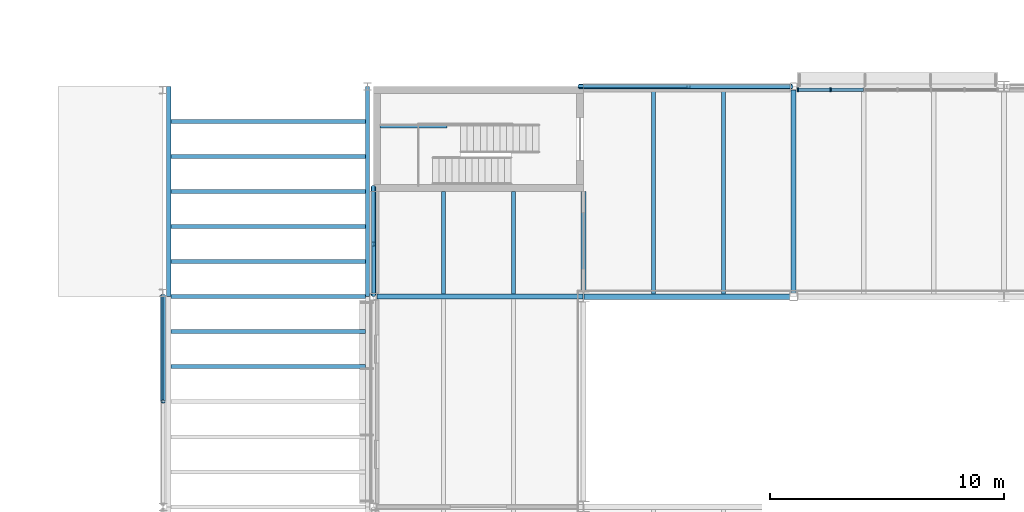
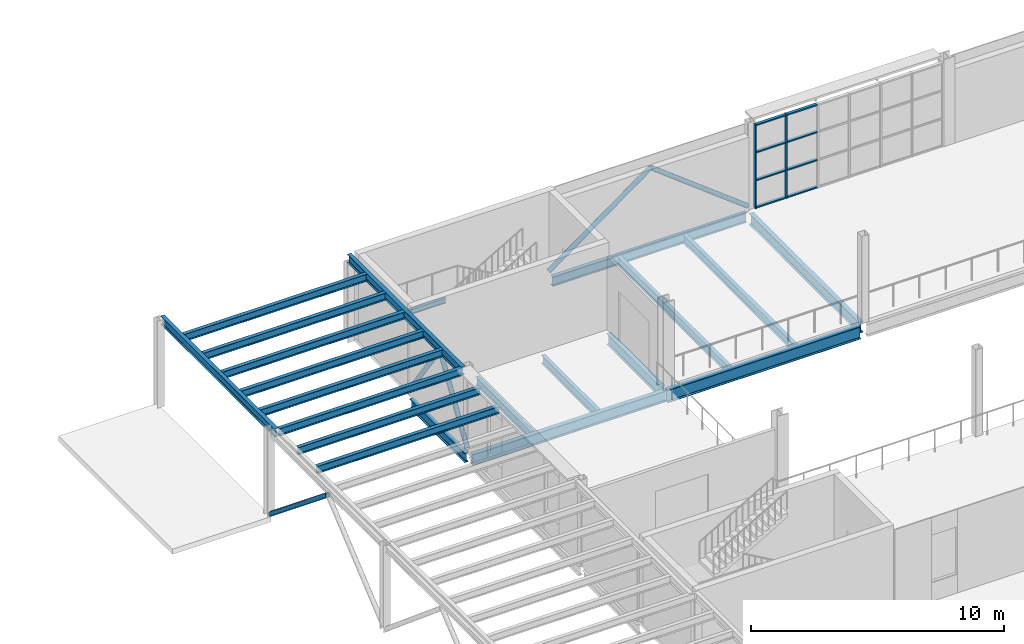
# One storey, part 11 of 57: 23 members, 13 beams, 1 element without a shape of its own.
"""IFC4 building model written with IfcOpenShell, lengths in metres."""

from ifc_helpers import new_model, si_unit, direction, frame, origin, origin_2d, place, context, subcontext, project, spatial, rectangle, hollow_circle, i_section, extrude, material, layer, layer_set, material_profile, profile_set, type_object, element, aggregate, save


model = new_model("IFC4")

# Units and contexts
model_context = context("Model", 3, precision=1e-05, world=origin(), true_north=direction((0.0, 1.0)))
body_context = subcontext(model_context, "Body", "Model", "MODEL_VIEW")
ifc_project = project(units=[si_unit("LENGTHUNIT", "METRE"), si_unit("AREAUNIT", "SQUARE_METRE"), si_unit("VOLUMEUNIT", "CUBIC_METRE"), si_unit("PLANEANGLEUNIT", "RADIAN"), si_unit("MASSUNIT", "GRAM", prefix="KILO")], contexts=[model_context])

# Site, building, storey
site_placement = place(None, origin())
site = spatial("IfcSite", under=ifc_project, at=site_placement, CompositionType="ELEMENT")
building_placement = place(site_placement, origin())
building = spatial("IfcBuilding", under=site, at=building_placement, Name="Halyard Row Museum", CompositionType="ELEMENT")
storey_placement = place(building_placement, frame((0.0, 0.0, 5.0)))
storey = spatial("IfcBuildingStorey", under=building, at=storey_placement, Name="L01", CompositionType="ELEMENT", Elevation=5.0)

# Members
ifc_material_1 = material(Name="Steel Grade C350L0", Category="steel")
ifc_material_profile_1 = material_profile(ifc_material_1, hollow_circle(Radius=0.109619140625, WallThickness=0.00830078125, at=origin_2d()), Name="219.1x8.2CHS")
ifc_profile_set_1 = profile_set([ifc_material_profile_1], Name="Steel Grade C350L0")
member_type_1 = type_object("IfcMemberType", Name="Brace 219.1x8.2CHS", PredefinedType="BRACE", material=ifc_profile_set_1)
member_1_placement = place(storey_placement, frame((18.0, 36.036376953125, 0.109619140625), z_axis=(0.0, -0.777199087456, 0.629254780242), x_axis=(1.0, 0.0, 0.0)))
element("IfcMember", 1, at=member_1_placement, inside=storey, type_object=member_type_1, Name="Brace L01 X18 27-36 B", PredefinedType="BRACE", context=body_context, shape_type="SweptSolid", body=[
    extrude(hollow_circle(Radius=0.109619140625, WallThickness=0.00830078125, at=origin_2d()), origin(), (0.0, 0.0, 1.0), 5.8369140625),
])
member_2_placement = place(storey_placement, frame((27.0, 36.10009765625, 0.109619140625), z_axis=(0.0, 0.532731436582, 0.846284359112), x_axis=(-1.0, 0.0, 0.0)))
element("IfcMember", 2, at=member_2_placement, inside=storey, type_object=member_type_1, Name="Brace L01 X27 36-40.5 A", PredefinedType="BRACE", context=body_context, shape_type="SweptSolid", body=[
    extrude(hollow_circle(Radius=0.109619140625, WallThickness=0.00830078125, at=origin_2d()), origin(), (0.0, 0.0, 1.0), 4.03564453125),
])
member_3_placement = place(storey_placement, frame((27.0, 40.669921875, 0.109619140625), z_axis=(0.0, -0.578689389452, 0.815548030796), x_axis=(1.0, 0.0, 0.0)))
element("IfcMember", 3, at=member_3_placement, inside=storey, type_object=member_type_1, Name="Brace L01 X27 36-40.5 B", PredefinedType="BRACE", context=body_context, shape_type="SweptSolid", body=[
    extrude(hollow_circle(Radius=0.109619140625, WallThickness=0.00830078125, at=origin_2d()), origin(), (0.0, 0.0, 1.0), 4.181640625),
])
member_4_placement = place(storey_placement, frame((35.830078125, 45.0, 0.109619140625), z_axis=(0.809666762565, 0.0, 0.586889882003), x_axis=(0.0, 1.0, 0.0)))
element("IfcMember", 4, at=member_4_placement, inside=storey, type_object=member_type_1, Name="Brace L01 Y45 36-45 A", PredefinedType="BRACE", context=body_context, shape_type="SweptSolid", body=[
    extrude(hollow_circle(Radius=0.109619140625, WallThickness=0.00830078125, at=origin_2d()), origin(), (0.0, 0.0, 1.0), 5.767822265625),
])
member_5_placement = place(storey_placement, frame((44.89990234375, 45.0, 0.109619140625), z_axis=(-0.792413085648, 0.0, 0.609984837265), x_axis=(0.0, -1.0, 0.0)))
element("IfcMember", 5, at=member_5_placement, inside=storey, type_object=member_type_1, Name="Brace L01 Y45 36-45 B", PredefinedType="BRACE", context=body_context, shape_type="SweptSolid", body=[
    extrude(hollow_circle(Radius=0.109619140625, WallThickness=0.00830078125, at=origin_2d()), origin(), (0.0, 0.0, 1.0), 5.552490234375),
])

# Curtain wall, members
ifc_material_2 = material(Name="Double glazed unit, low-emissivity", Category="glass")
ifc_layer = layer(ifc_material_2, 0.179931640625)
ifc_layer_set = layer_set([ifc_layer], Name="Double glazed unit, low-emissivity")
curtain_wall_type = type_object("IfcCurtainWallType", Name="Curtain wall stick 180 deep", PredefinedType="NOTDEFINED", material=ifc_layer_set)
curtain_wall_placement = place(storey_placement, origin())
curtain_wall = element("IfcCurtainWall", 6, at=curtain_wall_placement, inside=storey, type_object=curtain_wall_type, Name="Curtain wall CW022", PredefinedType="NOTDEFINED")
ifc_material_3 = material(Name="Powder-coated aluminium section", Category="aluminium")
ifc_material_profile_2 = material_profile(ifc_material_3, rectangle(XDim=0.179931640625, YDim=0.06005859375, at=origin_2d()), Name="180x60 mullion")
ifc_profile_set_2 = profile_set([ifc_material_profile_2], Name="Powder-coated aluminium section")
member_type_2 = type_object("IfcMemberType", Name="Curtain wall mullion CM2 60 x 180", PredefinedType="MULLION", material=ifc_profile_set_2)
member_6_placement = place(storey_placement, frame((46.583251953125, 44.860107421875, 0.0), z_axis=(0.0, 0.0, 1.0), x_axis=(0.0, -1.0, 0.0)))
member_6 = element("IfcMember", 7, at=member_6_placement, type_object=member_type_2, Name="CW022 mullion 6", PredefinedType="MULLION", context=body_context, shape_type="SweptSolid", body=[
    extrude(rectangle(XDim=0.179931640625, YDim=0.06005859375, at=origin_2d()), origin(), (0.0, 0.0, 1.0), 4.034912109375),
])
member_7_placement = place(storey_placement, frame((45.179931640625, 44.860107421875, 0.0), z_axis=(0.0, 0.0, 1.0), x_axis=(0.0, -1.0, 0.0)))
member_7 = element("IfcMember", 8, at=member_7_placement, type_object=member_type_2, Name="CW022 mullion 7", PredefinedType="MULLION", context=body_context, shape_type="SweptSolid", body=[
    extrude(rectangle(XDim=0.179931640625, YDim=0.06005859375, at=origin_2d()), origin(), (0.0, 0.0, 1.0), 4.034912109375),
])
ifc_material_4 = material(Name="Powder-coated aluminium section", Category="aluminium")
ifc_material_profile_3 = material_profile(ifc_material_4, rectangle(XDim=0.139892578125, YDim=0.06005859375, at=origin_2d()), Name="140x60 transom")
ifc_profile_set_3 = profile_set([ifc_material_profile_3], Name="Powder-coated aluminium section")
member_type_3 = type_object("IfcMemberType", Name="Curtain wall transom CT2 60 x 140", PredefinedType="USERDEFINED", material=ifc_profile_set_3)
member_8_placement = place(storey_placement, frame((47.986572265625, 44.860107421875, 0.030029296875), z_axis=(-1.0, 0.0, 0.0), x_axis=(0.0, -1.0, 0.0)))
member_8 = element("IfcMember", 9, at=member_8_placement, type_object=member_type_3, Name="CW022 transom 5.1", ObjectType="TRANSOM", PredefinedType="USERDEFINED", context=body_context, shape_type="SweptSolid", body=[
    extrude(rectangle(XDim=0.139892578125, YDim=0.06005859375, at=origin_2d()), origin(), (0.0, 0.0, 1.0), 1.373291015625),
])
member_9_placement = place(storey_placement, frame((47.986572265625, 44.860107421875, 1.344970703125), z_axis=(-1.0, 0.0, 0.0), x_axis=(0.0, -1.0, 0.0)))
member_9 = element("IfcMember", 10, at=member_9_placement, type_object=member_type_3, Name="CW022 transom 5.2", ObjectType="TRANSOM", PredefinedType="USERDEFINED", context=body_context, shape_type="SweptSolid", body=[
    extrude(rectangle(XDim=0.139892578125, YDim=0.06005859375, at=origin_2d()), origin(), (0.0, 0.0, 1.0), 1.373291015625),
])
member_10_placement = place(storey_placement, frame((47.986572265625, 44.860107421875, 2.68994140625), z_axis=(-1.0, 0.0, 0.0), x_axis=(0.0, -1.0, 0.0)))
member_10 = element("IfcMember", 11, at=member_10_placement, type_object=member_type_3, Name="CW022 transom 5.3", ObjectType="TRANSOM", PredefinedType="USERDEFINED", context=body_context, shape_type="SweptSolid", body=[
    extrude(rectangle(XDim=0.139892578125, YDim=0.06005859375, at=origin_2d()), origin(), (0.0, 0.0, 1.0), 1.373291015625),
])
member_11_placement = place(storey_placement, frame((47.986572265625, 44.860107421875, 4.0048828125), z_axis=(-1.0, 0.0, 0.0), x_axis=(0.0, -1.0, 0.0)))
member_11 = element("IfcMember", 12, at=member_11_placement, type_object=member_type_3, Name="CW022 transom 5.4", ObjectType="TRANSOM", PredefinedType="USERDEFINED", context=body_context, shape_type="SweptSolid", body=[
    extrude(rectangle(XDim=0.139892578125, YDim=0.06005859375, at=origin_2d()), origin(), (0.0, 0.0, 1.0), 1.373291015625),
])
member_12_placement = place(storey_placement, frame((46.55322265625, 44.860107421875, 0.030029296875), z_axis=(-1.0, 0.0, 0.0), x_axis=(0.0, -1.0, 0.0)))
member_12 = element("IfcMember", 13, at=member_12_placement, type_object=member_type_3, Name="CW022 transom 6.1", ObjectType="TRANSOM", PredefinedType="USERDEFINED", context=body_context, shape_type="SweptSolid", body=[
    extrude(rectangle(XDim=0.139892578125, YDim=0.06005859375, at=origin_2d()), origin(), (0.0, 0.0, 1.0), 1.34326171875),
])
member_13_placement = place(storey_placement, frame((46.55322265625, 44.860107421875, 1.344970703125), z_axis=(-1.0, 0.0, 0.0), x_axis=(0.0, -1.0, 0.0)))
member_13 = element("IfcMember", 14, at=member_13_placement, type_object=member_type_3, Name="CW022 transom 6.2", ObjectType="TRANSOM", PredefinedType="USERDEFINED", context=body_context, shape_type="SweptSolid", body=[
    extrude(rectangle(XDim=0.139892578125, YDim=0.06005859375, at=origin_2d()), origin(), (0.0, 0.0, 1.0), 1.34326171875),
])
member_14_placement = place(storey_placement, frame((46.55322265625, 44.860107421875, 2.68994140625), z_axis=(-1.0, 0.0, 0.0), x_axis=(0.0, -1.0, 0.0)))
member_14 = element("IfcMember", 15, at=member_14_placement, type_object=member_type_3, Name="CW022 transom 6.3", ObjectType="TRANSOM", PredefinedType="USERDEFINED", context=body_context, shape_type="SweptSolid", body=[
    extrude(rectangle(XDim=0.139892578125, YDim=0.06005859375, at=origin_2d()), origin(), (0.0, 0.0, 1.0), 1.34326171875),
])
member_15_placement = place(storey_placement, frame((46.55322265625, 44.860107421875, 4.0048828125), z_axis=(-1.0, 0.0, 0.0), x_axis=(0.0, -1.0, 0.0)))
member_15 = element("IfcMember", 16, at=member_15_placement, type_object=member_type_3, Name="CW022 transom 6.4", ObjectType="TRANSOM", PredefinedType="USERDEFINED", context=body_context, shape_type="SweptSolid", body=[
    extrude(rectangle(XDim=0.139892578125, YDim=0.06005859375, at=origin_2d()), origin(), (0.0, 0.0, 1.0), 1.34326171875),
])
aggregate(curtain_wall, [member_6, member_7, member_8, member_9, member_10, member_11, member_12, member_13, member_14, member_15])

# Beams
ifc_material_5 = material(Name="Steel Grade 300", Category="steel")
ifc_material_profile_4 = material_profile(ifc_material_5, i_section(OverallWidth=0.18994140625, OverallDepth=0.45751953125, WebThickness=0.009033203125, FlangeThickness=0.014404296875, FilletRadius=0.011474609375, at=origin_2d()), Name="460UB74.6")
ifc_profile_set_4 = profile_set([ifc_material_profile_4], Name="Steel Grade 300")
beam_type_1 = type_object("IfcBeamType", Name="Edge beam 460UB74.6", PredefinedType="BEAM", material=ifc_profile_set_4)
beam_1_placement = place(storey_placement, frame((36.0, 45.0, -0.393798828125), z_axis=(1.0, 0.0, 0.0), x_axis=(0.0, 1.0, 0.0)))
element("IfcBeam", 17, at=beam_1_placement, inside=storey, type_object=beam_type_1, Name="Beam L01-035", PredefinedType="BEAM", context=body_context, shape_type="SweptSolid", body=[
    extrude(i_section(OverallWidth=0.18994140625, OverallDepth=0.45751953125, WebThickness=0.009033203125, FlangeThickness=0.014404296875, FilletRadius=0.011474609375, at=origin_2d()), origin(), (0.0, 0.0, 1.0), 8.85009765625),
])
beam_2_placement = place(storey_placement, frame((27.0, 36.14990234375, -0.393798828125), z_axis=(0.0, 1.0, 0.0), x_axis=(-1.0, 0.0, 0.0)))
element("IfcBeam", 18, at=beam_2_placement, inside=storey, type_object=beam_type_1, Name="Beam L01-051", PredefinedType="BEAM", context=body_context, shape_type="SweptSolid", body=[
    extrude(i_section(OverallWidth=0.18994140625, OverallDepth=0.45751953125, WebThickness=0.009033203125, FlangeThickness=0.014404296875, FilletRadius=0.011474609375, at=origin_2d()), origin(), (0.0, 0.0, 1.0), 4.35009765625),
])
ifc_material_6 = material(Name="Steel Grade 300", Category="steel")
ifc_material_profile_5 = material_profile(ifc_material_6, i_section(OverallWidth=0.208984375, OverallDepth=0.532958984375, WebThickness=0.01025390625, FlangeThickness=0.015625, FilletRadius=0.013916015625, at=origin_2d()), Name="530UB92.4")
ifc_profile_set_5 = profile_set([ifc_material_profile_5], Name="Steel Grade 300")
beam_type_2 = type_object("IfcBeamType", Name="Girder beam 530UB92.4", PredefinedType="BEAM", material=ifc_profile_set_5)
beam_3_placement = place(storey_placement, frame((27.14990234375, 36.0, -0.431396484375), z_axis=(1.0, 0.0, 0.0), x_axis=(0.0, 1.0, 0.0)))
element("IfcBeam", 19, at=beam_3_placement, inside=storey, type_object=beam_type_2, Name="Beam L01-026", PredefinedType="BEAM", context=body_context, shape_type="SweptSolid", body=[
    extrude(i_section(OverallWidth=0.208984375, OverallDepth=0.532958984375, WebThickness=0.01025390625, FlangeThickness=0.015625, FilletRadius=0.013916015625, at=origin_2d()), origin(), (0.0, 0.0, 1.0), 8.830078125),
])
beam_4_placement = place(storey_placement, frame((36.0, 36.239990234375, -0.431396484375), z_axis=(0.0, 1.0, 0.0), x_axis=(-1.0, 0.0, 0.0)))
element("IfcBeam", 20, at=beam_4_placement, inside=storey, type_object=beam_type_2, Name="Beam L01-054", PredefinedType="BEAM", context=body_context, shape_type="SweptSolid", body=[
    extrude(i_section(OverallWidth=0.208984375, OverallDepth=0.532958984375, WebThickness=0.01025390625, FlangeThickness=0.015625, FilletRadius=0.013916015625, at=origin_2d()), origin(), (0.0, 0.0, 1.0), 4.260009765625),
])
beam_5_placement = place(storey_placement, frame((45.0, 36.160400390625, -0.431396484375), z_axis=(0.0, 1.0, 0.0), x_axis=(-1.0, 0.0, 0.0)))
element("IfcBeam", 21, at=beam_5_placement, inside=storey, type_object=beam_type_2, Name="Beam L01-056", PredefinedType="BEAM", context=body_context, shape_type="SweptSolid", body=[
    extrude(i_section(OverallWidth=0.208984375, OverallDepth=0.532958984375, WebThickness=0.01025390625, FlangeThickness=0.015625, FilletRadius=0.013916015625, at=origin_2d()), origin(), (0.0, 0.0, 1.0), 8.689697265625),
])
ifc_material_7 = material(Name="Steel Grade 300", Category="steel")
ifc_material_profile_6 = material_profile(ifc_material_7, i_section(OverallWidth=0.1240234375, OverallDepth=0.248046875, WebThickness=0.0048828125, FlangeThickness=0.008056640625, FilletRadius=0.011962890625, at=origin_2d()), Name="250UB25.7")
ifc_profile_set_6 = profile_set([ifc_material_profile_6], Name="Steel Grade 300")
beam_type_3 = type_object("IfcBeamType", Name="Landing trimmer 250UB25.7", PredefinedType="BEAM", material=ifc_profile_set_6)
beam_6_placement = place(storey_placement, frame((27.297119140625, 43.278076171875, 1.77587890625), z_axis=(1.0, 0.0, 0.0), x_axis=(0.0, 1.0, 0.0)))
element("IfcBeam", 22, at=beam_6_placement, inside=storey, type_object=beam_type_3, Name="Landing ledger K1A L01 1", PredefinedType="BEAM", context=body_context, shape_type="SweptSolid", body=[
    extrude(i_section(OverallWidth=0.1240234375, OverallDepth=0.248046875, WebThickness=0.0048828125, FlangeThickness=0.008056640625, FilletRadius=0.011962890625, at=origin_2d()), origin(), (0.0, 0.0, 1.0), 2.852783203125),
])
ifc_material_8 = material(Name="Steel Grade 300", Category="steel")
ifc_material_profile_7 = material_profile(ifc_material_8, i_section(OverallWidth=0.177978515625, OverallDepth=0.402587890625, WebThickness=0.007568359375, FlangeThickness=0.010986328125, FilletRadius=0.011474609375, at=origin_2d()), Name="410UB53.7")
ifc_profile_set_7 = profile_set([ifc_material_profile_7], Name="Steel Grade 300")
beam_type_4 = type_object("IfcBeamType", Name="Passage edge beam 410UB53.7", PredefinedType="BEAM", material=ifc_profile_set_7)
for number, where, z_axis, x_axis, name in (
    (23, (18.244384765625, 36.0, 3.958740234375), (0.0, 1.0, 0.0), (-1.0, 0.0, 0.0), "Passage edge beam W 36-45"),
    (24, (26.755615234375, 36.0, 3.958740234375), (0.0, 1.0, 0.0), (-1.0, 0.0, 0.0), "Passage edge beam E 36-45"),
):
    element("IfcBeam", number, at=place(storey_placement, frame(where, z_axis=z_axis, x_axis=x_axis)), inside=storey, type_object=beam_type_4, Name=name, PredefinedType="BEAM", context=body_context, shape_type="SweptSolid", body=[
        extrude(i_section(OverallWidth=0.177978515625, OverallDepth=0.402587890625, WebThickness=0.007568359375, FlangeThickness=0.010986328125, FilletRadius=0.011474609375, at=origin_2d()), origin(), (0.0, 0.0, 1.0), 9.0),
    ])

# Members
ifc_material_9 = material(Name="Steel Grade 300", Category="steel")
ifc_material_profile_8 = material_profile(ifc_material_9, i_section(OverallWidth=0.1708984375, OverallDepth=0.35205078125, WebThickness=0.0068359375, FlangeThickness=0.009765625, FilletRadius=0.011474609375, at=origin_2d()), Name="360UB44.7")
ifc_profile_set_8 = profile_set([ifc_material_profile_8], Name="Steel Grade 300")
member_type_4 = type_object("IfcMemberType", Name="Passage rafter 360UB44.7", PredefinedType="RAFTER", material=ifc_profile_set_8)
for number, where, z_axis, x_axis, name in (
    (25, (18.33349609375, 33.0, 3.98388671875), (1.0, 0.0, 0.0), (0.0, 1.0, 0.0), "Passage rafter 23"),
    (26, (18.33349609375, 34.5, 3.98388671875), (1.0, 0.0, 0.0), (0.0, 1.0, 0.0), "Passage rafter 24"),
    (27, (18.33349609375, 36.0, 3.98388671875), (1.0, 0.0, 0.0), (0.0, 1.0, 0.0), "Passage rafter 25"),
    (28, (18.33349609375, 37.5, 3.98388671875), (1.0, 0.0, 0.0), (0.0, 1.0, 0.0), "Passage rafter 26"),
    (29, (18.33349609375, 39.0, 3.98388671875), (1.0, 0.0, 0.0), (0.0, 1.0, 0.0), "Passage rafter 27"),
    (30, (18.33349609375, 40.5, 3.98388671875), (1.0, 0.0, 0.0), (0.0, 1.0, 0.0), "Passage rafter 28"),
    (31, (18.33349609375, 42.0, 3.98388671875), (1.0, 0.0, 0.0), (0.0, 1.0, 0.0), "Passage rafter 29"),
    (32, (18.33349609375, 43.5, 3.98388671875), (1.0, 0.0, 0.0), (0.0, 1.0, 0.0), "Passage rafter 30"),
):
    element("IfcMember", number, at=place(storey_placement, frame(where, z_axis=z_axis, x_axis=x_axis)), inside=storey, type_object=member_type_4, Name=name, PredefinedType="RAFTER", context=body_context, shape_type="SweptSolid", body=[
        extrude(i_section(OverallWidth=0.1708984375, OverallDepth=0.35205078125, WebThickness=0.0068359375, FlangeThickness=0.009765625, FilletRadius=0.011474609375, at=origin_2d()), origin(), (0.0, 0.0, 1.0), 8.3330078125),
    ])

# Beams
ifc_material_10 = material(Name="Steel Grade 300", Category="steel")
ifc_material_profile_9 = material_profile(ifc_material_10, i_section(OverallWidth=0.177978515625, OverallDepth=0.406494140625, WebThickness=0.0078125, FlangeThickness=0.0126953125, FilletRadius=0.011474609375, at=origin_2d()), Name="410UB59.7")
ifc_profile_set_9 = profile_set([ifc_material_profile_9], Name="Steel Grade 300")
beam_type_5 = type_object("IfcBeamType", Name="Secondary beam 410UB59.7", PredefinedType="BEAM", material=ifc_profile_set_9)
for number, where, z_axis, x_axis, name in (
    (33, (30.0, 36.1044921875, -0.3681640625), (0.0, 1.0, 0.0), (-1.0, 0.0, 0.0), "Beam L01-127"),
    (34, (33.0, 36.1044921875, -0.3681640625), (0.0, 1.0, 0.0), (-1.0, 0.0, 0.0), "Beam L01-128"),
):
    element("IfcBeam", number, at=place(storey_placement, frame(where, z_axis=z_axis, x_axis=x_axis)), inside=storey, type_object=beam_type_5, Name=name, PredefinedType="BEAM", context=body_context, shape_type="SweptSolid", body=[
        extrude(i_section(OverallWidth=0.177978515625, OverallDepth=0.406494140625, WebThickness=0.0078125, FlangeThickness=0.0126953125, FilletRadius=0.011474609375, at=origin_2d()), origin(), (0.0, 0.0, 1.0), 4.3955078125),
    ])
for number, where, z_axis, x_axis, name in (
    (35, (39.0, 36.114013671875, -0.3681640625), (0.0, 1.0, 0.0), (-1.0, 0.0, 0.0), "Beam L01-131"),
    (36, (42.0, 36.114013671875, -0.3681640625), (0.0, 1.0, 0.0), (-1.0, 0.0, 0.0), "Beam L01-132"),
):
    element("IfcBeam", number, at=place(storey_placement, frame(where, z_axis=z_axis, x_axis=x_axis)), inside=storey, type_object=beam_type_5, Name=name, PredefinedType="BEAM", context=body_context, shape_type="SweptSolid", body=[
        extrude(i_section(OverallWidth=0.177978515625, OverallDepth=0.406494140625, WebThickness=0.0078125, FlangeThickness=0.0126953125, FilletRadius=0.011474609375, at=origin_2d()), origin(), (0.0, 0.0, 1.0), 8.791015625),
    ])
ifc_material_11 = material(Name="Steel Grade 300", Category="steel")
ifc_material_profile_10 = material_profile(ifc_material_11, i_section(OverallWidth=0.22802734375, OverallDepth=0.60693359375, WebThickness=0.01123046875, FlangeThickness=0.017333984375, FilletRadius=0.013916015625, at=origin_2d()), Name="610UB113")
ifc_profile_set_10 = profile_set([ifc_material_profile_10], Name="Steel Grade 300")
beam_type_6 = type_object("IfcBeamType", Name="Void edge beam 610UB113", PredefinedType="BEAM", material=ifc_profile_set_10)
beam_7_placement = place(storey_placement, frame((36.02001953125, 36.0, -0.468505859375), z_axis=(1.0, 0.0, 0.0), x_axis=(0.0, 1.0, 0.0)))
element("IfcBeam", 37, at=beam_7_placement, inside=storey, type_object=beam_type_6, Name="Beam L01-027", PredefinedType="BEAM", context=body_context, shape_type="SweptSolid", body=[
    extrude(i_section(OverallWidth=0.22802734375, OverallDepth=0.60693359375, WebThickness=0.01123046875, FlangeThickness=0.017333984375, FilletRadius=0.013916015625, at=origin_2d()), origin(), (0.0, 0.0, 1.0), 8.825439453125),
])

save(model, "model.ifc")
